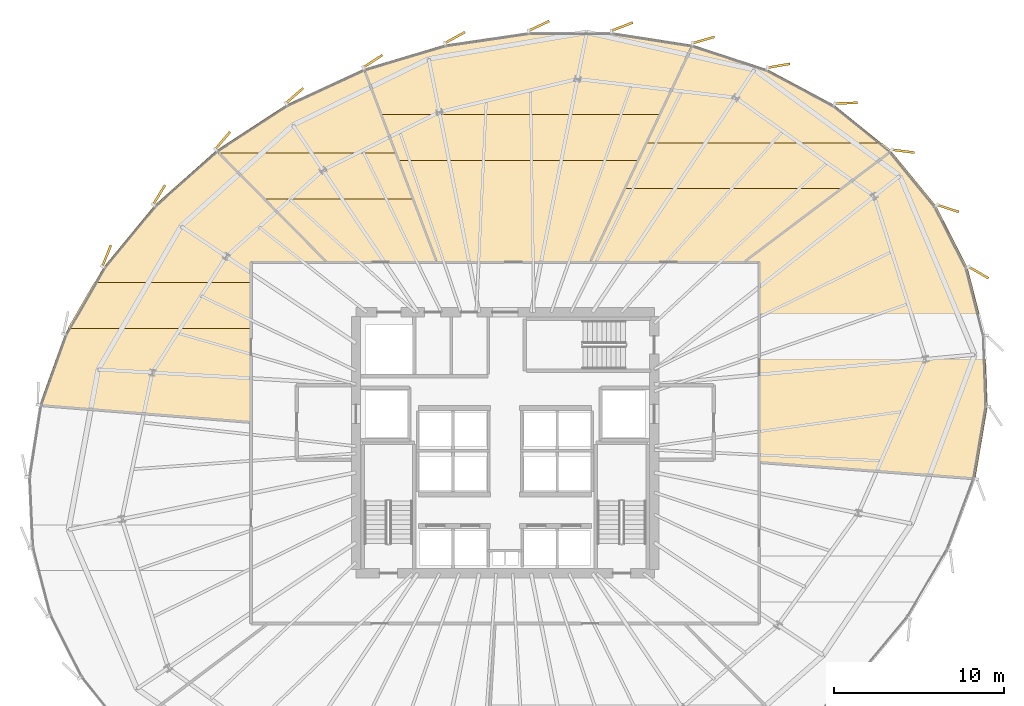
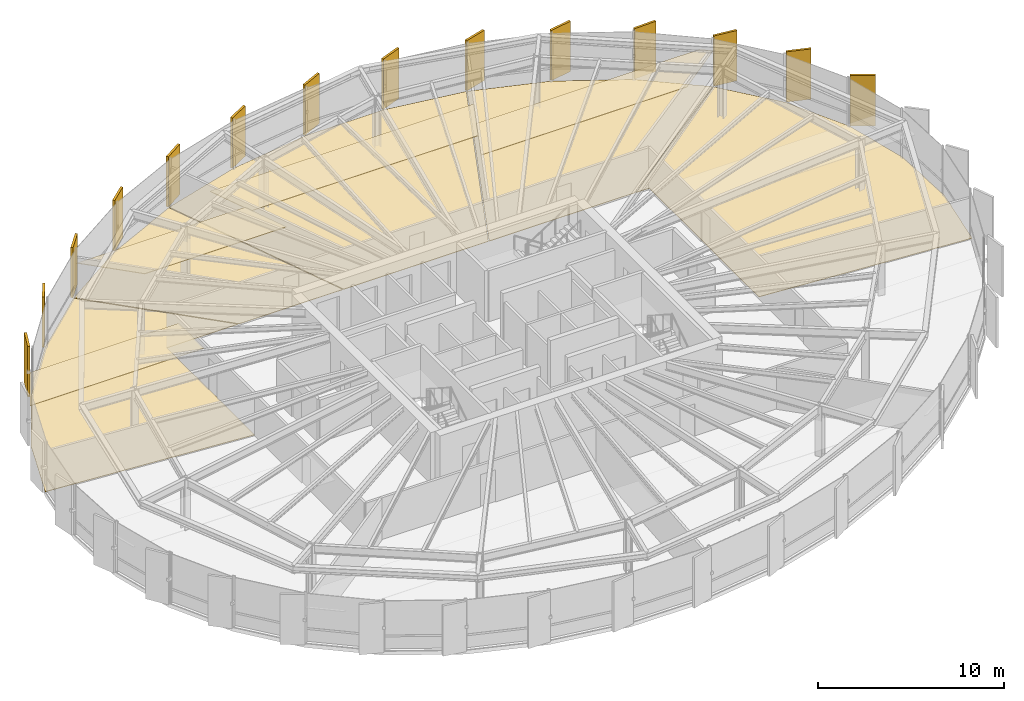
# One storey, part 33 of 33: 23 coverings.
"""IFC4 building model written with IfcOpenShell, lengths in metres."""

from ifc_helpers import new_model, si_unit, direction, frame, origin, origin_2d, place, context, subcontext, project, spatial, polyline, rectangle, outline, extrude, source, transform, mapped, material, layer, layer_set, type_object, element, save


model = new_model("IFC4")

# Units and contexts
model_context = context("Model", 3, precision=1e-05, world=origin(), true_north=direction((0.0, 1.0)))
body_context = subcontext(model_context, "Body", "Model", "MODEL_VIEW")
ifc_project = project(units=[si_unit("LENGTHUNIT", "METRE"), si_unit("AREAUNIT", "SQUARE_METRE"), si_unit("VOLUMEUNIT", "CUBIC_METRE"), si_unit("PLANEANGLEUNIT", "RADIAN"), si_unit("MASSUNIT", "GRAM", prefix="KILO"), si_unit("THERMODYNAMICTEMPERATUREUNIT", "KELVIN")], contexts=[model_context])

# Site, building, storey
site_placement = place(None, origin())
site = spatial("IfcSite", under=ifc_project, at=site_placement, CompositionType="ELEMENT")
building_placement = place(site_placement, origin())
building = spatial("IfcBuilding", under=site, at=building_placement, Name="Kethvar Cultural Tower", CompositionType="ELEMENT")
storey_placement = place(building_placement, frame((0.0, 0.0, 118.0)))
storey = spatial("IfcBuildingStorey", under=building, at=storey_placement, Name="L29", CompositionType="ELEMENT", Elevation=118.0)

# Coverings
ifc_material_1 = material(Name="Acoustic Mineral Fibre Ceiling")
ifc_layer_1 = layer(ifc_material_1, 0.0400390625, Name="Acoustic Mineral Fibre Ceiling")
ifc_layer_set_1 = layer_set([ifc_layer_1], Name="Acoustic Mineral Fibre Ceiling (40 mm)")
covering_type_1 = type_object("IfcCoveringType", Name="CV-ACOUSTIC-CEIL", PredefinedType="CEILING", material=ifc_layer_set_1)
covering_1_placement = place(storey_placement, frame((0.0, 0.0, 2.340087890625)))
element("IfcCovering", 1, at=covering_1_placement, inside=storey, type_object=covering_type_1, Name="L29 Room 05 Acoustic Ceiling Panel", PredefinedType="CEILING", context=body_context, shape_type="SweptSolid", body=[
    extrude(outline(polyline([(69.57666015625, 45.042724609375), (66.640380859375, 42.78955078125), (53.822509765625, 42.78955078125), (55.095947265625, 45.49951171875), (69.01123046875, 45.49951171875), (69.57666015625, 45.042724609375)])), origin(), (0.0, 0.0, 1.0), 0.039794921875),
])
covering_2_placement = place(storey_placement, frame((0.0, 0.0, 2.340087890625)))
element("IfcCovering", 2, at=covering_2_placement, inside=storey, type_object=covering_type_1, Name="L29 Room 06 Acoustic Ceiling Panel", PredefinedType="CEILING", context=body_context, shape_type="SweptSolid", body=[
    extrude(outline(polyline([(54.6455078125, 44.446533203125), (40.48828125, 44.446533203125), (39.46435546875, 47.156494140625), (55.9189453125, 47.156494140625), (54.6455078125, 44.446533203125)])), origin(), (0.0, 0.0, 1.0), 0.039794921875),
])
covering_3_placement = place(storey_placement, frame((0.0, 0.0, 2.340087890625)))
element("IfcCovering", 3, at=covering_3_placement, inside=storey, type_object=covering_type_1, Name="L29 Room 07 Acoustic Ceiling Panel", PredefinedType="CEILING", context=body_context, shape_type="SweptSolid", body=[
    extrude(outline(polyline([(41.38232421875, 42.19384765625), (32.5576171875, 42.19384765625), (29.881103515625, 44.90380859375), (40.3583984375, 44.90380859375), (41.38232421875, 42.19384765625)])), origin(), (0.0, 0.0, 1.0), 0.039794921875),
])
covering_4_placement = place(storey_placement, frame((0.0, 0.0, 2.340087890625)))
element("IfcCovering", 4, at=covering_4_placement, inside=storey, type_object=covering_type_1, Name="L29 Room 08 Acoustic Ceiling Panel", PredefinedType="CEILING", context=body_context, shape_type="SweptSolid", body=[
    extrude(outline(polyline([(22.5595703125, 37.253173828125), (31.830078125, 37.253173828125), (31.830078125, 34.543212890625), (20.99755859375, 34.543212890625), (22.5595703125, 37.253173828125)])), origin(), (0.0, 0.0, 1.0), 0.039794921875),
])
ifc_material_2 = material(Name="Honed Warm Limestone", Category="masonry")
ifc_layer_2 = layer(ifc_material_2, 0.030029296875, Name="Honed Warm Limestone", Category="masonry")
ifc_layer_set_2 = layer_set([ifc_layer_2], Name="Honed Warm Limestone (30 mm)")
covering_type_2 = type_object("IfcCoveringType", Name="CV-STONE-FLOOR", PredefinedType="FLOORING", material=ifc_layer_set_2)
covering_5_placement = place(storey_placement, origin())
element("IfcCovering", 5, at=covering_5_placement, inside=storey, type_object=covering_type_2, Name="L29 Room 04 Floor Finish", PredefinedType="FLOORING", context=body_context, shape_type="SweptSolid", body=[
    extrude(outline(polyline([(75.248046875, 29.93310546875), (74.526611328125, 25.6953125), (61.81005859375, 26.669921875), (61.809814453125, 38.4619140625), (60.94580078125, 38.47998046875), (69.560791015625, 44.99951171875), (72.20556640625, 41.7744140625), (74.07470703125, 38.106201171875), (75.098388671875, 34.11865234375), (75.248046875, 29.93310546875)])), origin(), (0.0, 0.0, 1.0), 0.030029296875),
])
covering_6_placement = place(storey_placement, origin())
element("IfcCovering", 6, at=covering_6_placement, inside=storey, type_object=covering_type_2, Name="L29 Room 05 Floor Finish", PredefinedType="FLOORING", context=body_context, shape_type="SweptSolid", body=[
    extrude(outline(polyline([(62.24560546875, 49.8310546875), (66.193359375, 47.724853515625), (69.531494140625, 45.027587890625), (60.879638671875, 38.47998046875), (51.84130859375, 38.47998046875), (57.85009765625, 51.265625), (62.24560546875, 49.8310546875)])), origin(), (0.0, 0.0, 1.0), 0.030029296875),
])
covering_7_placement = place(storey_placement, origin())
element("IfcCovering", 7, at=covering_7_placement, inside=storey, type_object=covering_type_2, Name="L29 Room 06 Floor Finish", PredefinedType="FLOORING", context=body_context, shape_type="SweptSolid", body=[
    extrude(outline(polyline([(43.271484375, 51.281005859375), (48.1982421875, 52.005615234375), (53.102783203125, 52.002197265625), (57.81005859375, 51.2744140625), (51.797119140625, 38.47998046875), (42.78564453125, 38.47998046875), (38.487548828125, 49.854736328125), (43.271484375, 51.281005859375)])), origin(), (0.0, 0.0, 1.0), 0.030029296875),
])
covering_8_placement = place(storey_placement, origin())
element("IfcCovering", 8, at=covering_8_placement, inside=storey, type_object=covering_type_2, Name="L29 Room 07 Floor Finish", PredefinedType="FLOORING", context=body_context, shape_type="SweptSolid", body=[
    extrude(outline(polyline([(33.923095703125, 47.74853515625), (38.4501953125, 49.840576171875), (42.742919921875, 38.47998046875), (36.28125, 38.47998046875), (29.788818359375, 45.054443359375), (33.923095703125, 47.74853515625)])), origin(), (0.0, 0.0, 1.0), 0.030029296875),
])
covering_9_placement = place(storey_placement, origin())
element("IfcCovering", 9, at=covering_9_placement, inside=storey, type_object=covering_type_2, Name="L29 Room 08 Floor Finish", PredefinedType="FLOORING", context=body_context, shape_type="SweptSolid", body=[
    extrude(outline(polyline([(20.8369140625, 34.184326171875), (23.12548828125, 38.155029296875), (26.13330078125, 41.811279296875), (29.75634765625, 45.0302734375), (36.22509765625, 38.47998046875), (31.79150390625, 38.4677734375), (31.7900390625, 29.03515625), (19.345703125, 30.04248046875), (20.8369140625, 34.184326171875)])), origin(), (0.0, 0.0, 1.0), 0.030029296875),
])
ifc_material_3 = material(Name="Extruded Architectural Terracotta", Category="masonry")
ifc_layer_3 = layer(ifc_material_3, 0.135009765625, Name="Extruded Architectural Terracotta", Category="masonry")
ifc_layer_set_3 = layer_set([ifc_layer_3], Name="Extruded Architectural Terracotta (135 mm)")
covering_type_3 = type_object("IfcCoveringType", Name="Terracotta Facade Fin FIN-02", PredefinedType="CLADDING", material=ifc_layer_set_3)
shared_shape = source(origin(), body_context, "Body", "SweptSolid", [
    extrude(rectangle(XDim=1.35009765625, YDim=0.135009765625, at=origin_2d()), origin(), (0.0, 0.0, 1.0), 3.31005859375),
])
for number, where, z_axis, x_axis, name in (
    (10, (74.730224609375, 37.8447265625, 0.02001953125), (0.0, 0.0, 1.0), (0.864186995248, -0.503170783377, 0.0), "L29 Vertical Terracotta Fin 1.1"),
    (11, (72.92578125, 41.626220703125, 0.02001953125), (0.0, 0.0, 1.0), (0.950298606946, -0.311339939031, 0.0), "L29 Vertical Terracotta Fin 1.2"),
    (12, (70.283935546875, 45.003662109375, 0.02001953125), (0.0, 0.0, 1.0), (0.99189444259, -0.127064608601, 0.0), "L29 Vertical Terracotta Fin 1.3"),
    (13, (66.916748046875, 47.83642578125, 0.02001953125), (0.0, 0.0, 1.0), (0.999353732381, 0.035946037002, 0.0), "L29 Vertical Terracotta Fin 1.4"),
    (14, (62.943359375, 50.041015625, 0.02001953125), (0.0, 0.0, 1.0), (0.985258987478, 0.171069364861, 0.0), "L29 Vertical Terracotta Fin 1.5"),
    (15, (58.5, 51.55712890625, 0.02001953125), (0.0, 0.0, 1.0), (0.960439633437, 0.278488259221, 0.0), "L29 Vertical Terracotta Fin 1.6"),
    (16, (53.69482421875, 52.345458984375, 0.02001953125), (0.0, 0.0, 1.0), (0.932701982307, 0.360648044776, 0.0), "L29 Vertical Terracotta Fin 2.1"),
    (17, (48.7958984375, 52.39208984375, 0.02001953125), (0.0, 0.0, 1.0), (0.904827052466, 0.425779291565, 0.0), "L29 Vertical Terracotta Fin 2.2"),
    (18, (43.836181640625, 51.701904296875, 0.02001953125), (0.0, 0.0, 1.0), (0.876726755708, 0.480988768919, 0.0), "L29 Vertical Terracotta Fin 2.3"),
    (19, (38.9951171875, 50.305908203125, 0.02001953125), (0.0, 0.0, 1.0), (0.840566603496, 0.541708210283, 0.0), "L29 Vertical Terracotta Fin 2.4"),
    (20, (34.378662109375, 48.27685546875, 0.02001953125), (0.0, 0.0, 1.0), (0.753678114448, 0.657243714159, 0.0), "L29 Vertical Terracotta Fin 2.5"),
    (21, (30.1416015625, 45.6318359375, 0.02001953125), (0.0, 0.0, 1.0), (0.647854034566, 0.761764497661, 0.0), "L29 Vertical Terracotta Fin 2.6"),
    (22, (26.384521484375, 42.421875, 0.02001953125), (0.0, 0.0, 1.0), (0.521605395695, 0.853186855959, 0.0), "L29 Vertical Terracotta Fin 3.1"),
    (23, (23.2919921875, 38.83251953125, 0.02001953125), (0.0, 0.0, 1.0), (0.373959205738, 0.927445153335, 0.0), "L29 Vertical Terracotta Fin 3.2"),
):
    element("IfcCovering", number, at=place(storey_placement, frame(where, z_axis=z_axis, x_axis=x_axis)), inside=storey, type_object=covering_type_3, Name=name, PredefinedType="CLADDING", context=body_context, shape_type="MappedRepresentation", body=[
        mapped(shared_shape, transform((0.0, 0.0, 0.0), scale=1.0)),
    ])

save(model, "model.ifc")
